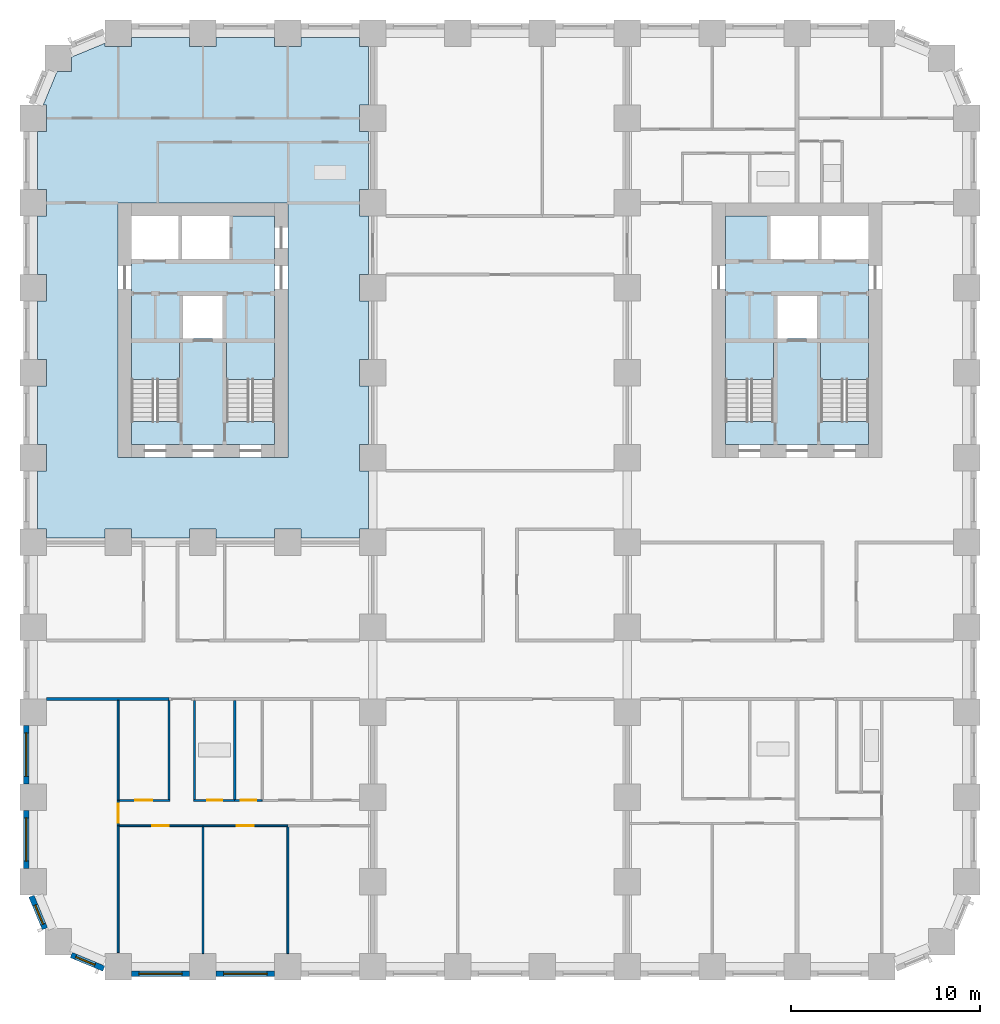
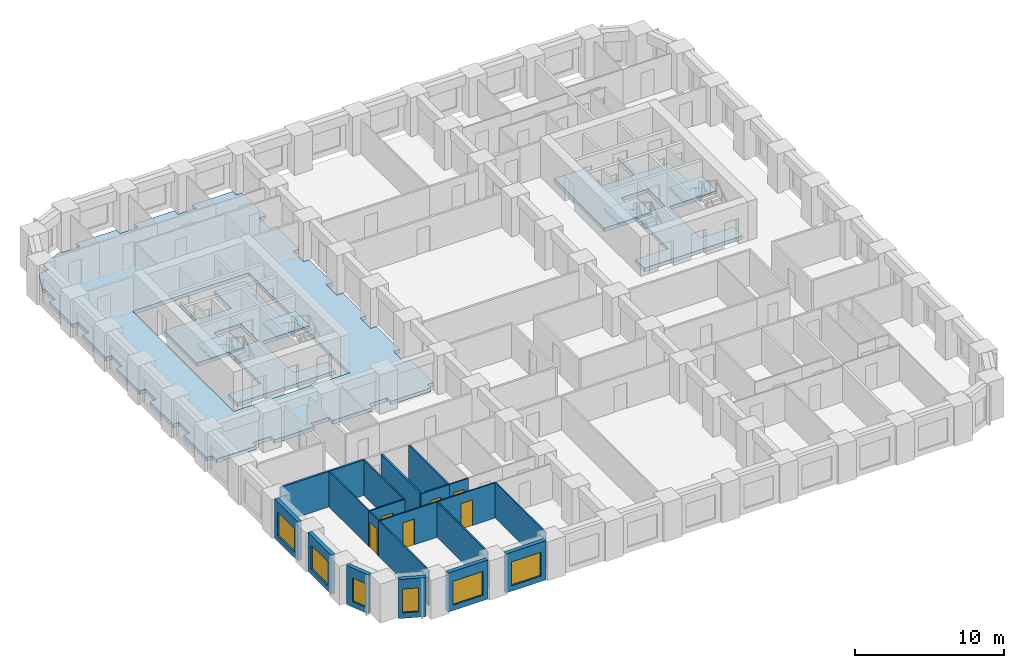
# One storey, part 2 of 12: 20 walls, 7 slabs, 6 doors, 6 windows, 12 openings, 4 elements without a shape of their own.
"""IFC4 building model written with IfcOpenShell, lengths in metres."""

from ifc_helpers import new_model, si_unit, direction, frame, frame_2d, origin, place, context, subcontext, project, spatial, polyline, rectangle, outline, extrude, material, layer, layer_set, type_object, element, fill, aggregate, save


model = new_model("IFC4")

# Units and contexts
model_context = context("Model", 3, precision=1e-05, world=origin(), true_north=direction((0.0, 1.0)))
body_context = subcontext(model_context, "Body", "Model", "MODEL_VIEW")
ifc_project = project(units=[si_unit("LENGTHUNIT", "METRE"), si_unit("AREAUNIT", "SQUARE_METRE"), si_unit("VOLUMEUNIT", "CUBIC_METRE"), si_unit("PLANEANGLEUNIT", "RADIAN"), si_unit("MASSUNIT", "GRAM", prefix="KILO")], contexts=[model_context])

# Site, building, storey
site_placement = place(None, origin())
site = spatial("IfcSite", under=ifc_project, at=site_placement, CompositionType="ELEMENT")
building_placement = place(site_placement, origin())
building = spatial("IfcBuilding", under=site, at=building_placement, Name="Girih Gate Residences", CompositionType="ELEMENT")
storey_placement = place(building_placement, frame((0.0, 0.0, 59.199951171875)))
storey = spatial("IfcBuildingStorey", under=building, at=storey_placement, Name="L15", CompositionType="ELEMENT", Elevation=59.199951171875)

# Slabs
ifc_material_1 = material(Name="Concrete C40/50", Category="concrete")
ifc_layer_1 = layer(ifc_material_1, 0.300048828125)
ifc_layer_set_1 = layer_set([ifc_layer_1], Name="Core floor slab 300")
slab_type_1 = type_object("IfcSlabType", Name="Core floor slab 300", PredefinedType="FLOOR", material=ifc_layer_set_1)
slab_1_placement = place(storey_placement, frame((0.0, 0.0, -0.300048828125)))
element("IfcSlab", 1, at=slab_1_placement, inside=storey, type_object=slab_type_1, Name="L15 W core floor", PredefinedType="FLOOR", context=body_context, shape_type="SweptSolid", body=[
    extrude(outline(polyline([(12.800048828125, 27.699951171875), (5.199951171875, 27.699951171875), (5.199951171875, 28.900634765625), (7.75, 28.900634765625), (7.75, 33.10009765625), (5.199951171875, 33.10009765625), (5.199951171875, 37.5), (7.699951171875, 37.5), (7.699951171875, 39.800048828125), (7.89990234375, 39.800048828125), (7.89990234375, 37.5), (10.39990234375, 37.5), (10.39990234375, 39.800048828125), (12.800048828125, 39.800048828125), (12.800048828125, 33.10009765625), (10.25, 33.10009765625), (10.25, 28.900634765625), (12.800048828125, 28.900634765625), (12.800048828125, 27.699951171875)]), holes=[polyline([(7.949951171875, 33.300048828125), (10.050048828125, 33.300048828125), (10.050048828125, 35.60009765625), (7.949951171875, 35.60009765625), (7.949951171875, 33.300048828125)])]), origin(), (0.0, 0.0, 1.0), 0.300048828125),
])
slab_2_placement = place(storey_placement, frame((0.0, 0.0, -0.300048828125)))
element("IfcSlab", 2, at=slab_2_placement, inside=storey, type_object=slab_type_1, Name="L15 E core floor", PredefinedType="FLOOR", context=body_context, shape_type="SweptSolid", body=[
    extrude(outline(polyline([(44.300048828125, 27.699951171875), (36.699951171875, 27.699951171875), (36.699951171875, 28.900634765625), (39.25, 28.900634765625), (39.25, 33.10009765625), (36.699951171875, 33.10009765625), (36.699951171875, 39.800048828125), (39.10009765625, 39.800048828125), (39.10009765625, 37.5), (41.60009765625, 37.5), (41.60009765625, 39.800048828125), (41.800048828125, 39.800048828125), (41.800048828125, 37.5), (44.300048828125, 37.5), (44.300048828125, 33.10009765625), (41.75, 33.10009765625), (41.75, 28.900634765625), (44.300048828125, 28.900634765625), (44.300048828125, 27.699951171875)]), holes=[polyline([(39.449951171875, 33.300048828125), (41.550048828125, 33.300048828125), (41.550048828125, 35.60009765625), (39.449951171875, 35.60009765625), (39.449951171875, 33.300048828125)])]), origin(), (0.0, 0.0, 1.0), 0.300048828125),
])
ifc_layer_2 = layer(ifc_material_1, 0.300048828125)
ifc_layer_set_2 = layer_set([ifc_layer_2], Name="Floor slab PT 300 Concrete C40/50")
slab_type_2 = type_object("IfcSlabType", Name="Floor slab PT 300 Concrete C40/50", PredefinedType="FLOOR", material=ifc_layer_set_2)
slab_3_placement = place(storey_placement, frame((0.0, 0.0, -0.300048828125)))
element("IfcSlab", 3, at=slab_3_placement, inside=storey, type_object=slab_type_2, Name="Floor slab L15 3", PredefinedType="FLOOR", context=body_context, shape_type="SweptSolid", body=[
    extrude(outline(polyline([(0.22509765625, 26.300048828125), (0.22509765625, 23.199951171875), (0.699951171875, 23.199951171875), (0.699951171875, 22.72509765625), (3.800048828125, 22.72509765625), (3.800048828125, 23.199951171875), (5.199951171875, 23.199951171875), (5.199951171875, 22.72509765625), (8.300048828125, 22.72509765625), (8.300048828125, 23.199951171875), (9.699951171875, 23.199951171875), (9.699951171875, 22.72509765625), (12.800048828125, 22.72509765625), (12.800048828125, 23.199951171875), (14.199951171875, 23.199951171875), (14.199951171875, 22.72509765625), (17.300048828125, 22.72509765625), (17.300048828125, 23.199951171875), (17.77490234375, 23.199951171875), (17.77490234375, 26.300048828125), (17.300048828125, 26.300048828125), (17.300048828125, 27.699951171875), (17.77490234375, 27.699951171875), (17.77490234375, 30.800048828125), (17.300048828125, 30.800048828125), (17.300048828125, 32.199951171875), (17.77490234375, 32.199951171875), (17.77490234375, 35.300048828125), (17.300048828125, 35.300048828125), (17.300048828125, 36.699951171875), (17.77490234375, 36.699951171875), (17.77490234375, 39.800048828125), (17.300048828125, 39.800048828125), (17.300048828125, 41.199951171875), (17.77490234375, 41.199951171875), (17.77490234375, 44.300048828125), (17.300048828125, 44.300048828125), (17.300048828125, 45.699951171875), (17.77490234375, 45.699951171875), (17.77490234375, 48.800048828125), (17.300048828125, 48.800048828125), (17.300048828125, 49.27490234375), (14.199951171875, 49.27490234375), (14.199951171875, 48.800048828125), (12.800048828125, 48.800048828125), (12.800048828125, 49.27490234375), (9.699951171875, 49.27490234375), (9.699951171875, 48.800048828125), (8.300048828125, 48.800048828125), (8.300048828125, 49.27490234375), (5.199951171875, 49.27490234375), (5.199951171875, 48.800048828125), (3.800048828125, 48.800048828125), (3.800048828125, 48.966552734375), (2.01806640625, 48.228271484375), (2.01806640625, 47.48193359375), (1.271728515625, 47.48193359375), (0.533447265625, 45.699951171875), (0.699951171875, 45.699951171875), (0.699951171875, 44.300048828125), (0.22509765625, 44.300048828125), (0.22509765625, 41.199951171875), (0.699951171875, 41.199951171875), (0.699951171875, 39.800048828125), (0.22509765625, 39.800048828125), (0.22509765625, 36.699951171875), (0.699951171875, 36.699951171875), (0.699951171875, 35.300048828125), (0.22509765625, 35.300048828125), (0.22509765625, 32.199951171875), (0.699951171875, 32.199951171875), (0.699951171875, 30.800048828125), (0.22509765625, 30.800048828125), (0.22509765625, 27.699951171875), (0.699951171875, 27.699951171875), (0.699951171875, 26.300048828125), (0.22509765625, 26.300048828125)]), holes=[polyline([(13.5, 40.5), (13.5, 27.0), (4.5, 27.0), (4.5, 40.5), (13.5, 40.5)])]), origin(), (0.0, 0.0, 1.0), 0.300048828125),
])

# Stair, slab
stair_type = type_object("IfcStairType", Name="Exit stair", PredefinedType="HALF_TURN_STAIR", material=ifc_material_1)
stair_1_placement = place(storey_placement, origin())
stair_1 = element("IfcStair", 4, at=stair_1_placement, inside=storey, type_object=stair_type, Name="L15 Exit Stair ST-W1", PredefinedType="HALF_TURN_STAIR")
ifc_layer_3 = layer(ifc_material_1, 0.199951171875)
ifc_layer_set_3 = layer_set([ifc_layer_3], Name="Stair landing 200")
slab_type_3 = type_object("IfcSlabType", Name="Stair landing 200", PredefinedType="LANDING", material=ifc_layer_set_3)
slab_4_placement = place(storey_placement, frame((0.0, 0.0, 1.400146484375)))
slab_4 = element("IfcSlab", 5, at=slab_4_placement, type_object=slab_type_3, Name="ST-W1 landing 1", PredefinedType="LANDING", context=body_context, shape_type="SweptSolid", body=[
    extrude(outline(polyline([(7.75, 31.14990234375), (7.75, 33.10009765625), (5.199951171875, 33.10009765625), (5.199951171875, 31.14990234375), (7.75, 31.14990234375)])), origin(), (0.0, 0.0, 1.0), 0.199951171875),
])
aggregate(stair_1, [slab_4])

stair_2_placement = place(storey_placement, origin())
stair_2 = element("IfcStair", 6, at=stair_2_placement, inside=storey, type_object=stair_type, Name="L15 Exit Stair ST-W2", PredefinedType="HALF_TURN_STAIR")
slab_5_placement = place(storey_placement, frame((0.0, 0.0, 1.400146484375)))
slab_5 = element("IfcSlab", 7, at=slab_5_placement, type_object=slab_type_3, Name="ST-W2 landing 1", PredefinedType="LANDING", context=body_context, shape_type="SweptSolid", body=[
    extrude(outline(polyline([(12.800048828125, 31.14990234375), (12.800048828125, 33.10009765625), (10.25, 33.10009765625), (10.25, 31.14990234375), (12.800048828125, 31.14990234375)])), origin(), (0.0, 0.0, 1.0), 0.199951171875),
])
aggregate(stair_2, [slab_5])

stair_3_placement = place(storey_placement, origin())
stair_3 = element("IfcStair", 8, at=stair_3_placement, inside=storey, type_object=stair_type, Name="L15 Exit Stair ST-E1", PredefinedType="HALF_TURN_STAIR")
slab_6_placement = place(storey_placement, frame((0.0, 0.0, 1.400146484375)))
slab_6 = element("IfcSlab", 9, at=slab_6_placement, type_object=slab_type_3, Name="ST-E1 landing 1", PredefinedType="LANDING", context=body_context, shape_type="SweptSolid", body=[
    extrude(outline(polyline([(44.300048828125, 31.14990234375), (44.300048828125, 33.10009765625), (41.75, 33.10009765625), (41.75, 31.14990234375), (44.300048828125, 31.14990234375)])), origin(), (0.0, 0.0, 1.0), 0.199951171875),
])
aggregate(stair_3, [slab_6])

stair_4_placement = place(storey_placement, origin())
stair_4 = element("IfcStair", 10, at=stair_4_placement, inside=storey, type_object=stair_type, Name="L15 Exit Stair ST-E2", PredefinedType="HALF_TURN_STAIR")
slab_7_placement = place(storey_placement, frame((0.0, 0.0, 1.400146484375)))
slab_7 = element("IfcSlab", 11, at=slab_7_placement, type_object=slab_type_3, Name="ST-E2 landing 1", PredefinedType="LANDING", context=body_context, shape_type="SweptSolid", body=[
    extrude(outline(polyline([(39.25, 31.14990234375), (39.25, 33.10009765625), (36.699951171875, 33.10009765625), (36.699951171875, 31.14990234375), (39.25, 31.14990234375)])), origin(), (0.0, 0.0, 1.0), 0.199951171875),
])
aggregate(stair_4, [slab_7])

# Walls
ifc_material_2 = material(Name="Gypsum board on steel studs", Category="steel")
ifc_layer_4 = layer(ifc_material_2, 0.14990234375)
ifc_layer_set_4 = layer_set([ifc_layer_4], Name="Compartment wall 150 mm")
wall_type_1 = type_object("IfcWallType", Name="Compartment wall 150 mm", PredefinedType="PARTITIONING", material=ifc_layer_set_4)
wall_1_placement = place(storey_placement, frame((0.699951171875, 14.199951171875, 0.0), z_axis=(0.0, 0.0, 1.0), x_axis=(1.0, 0.0, 0.0)))
element("IfcWall", 12, at=wall_1_placement, inside=storey, type_object=wall_type_1, Name="L15 partition", PredefinedType="PARTITIONING", context=body_context, shape_type="SweptSolid", body=[
    extrude(rectangle(XDim=6.5, YDim=0.14990234375, at=frame_2d((3.25, 0.0))), origin(), (0.0, 0.0, 1.0), 2.900146484375),
])
ifc_layer_5 = layer(ifc_material_2, 0.10009765625)
ifc_layer_set_5 = layer_set([ifc_layer_5], Name="Partition 100 mm")
wall_type_2 = type_object("IfcWallType", Name="Partition 100 mm", PredefinedType="PARTITIONING", material=ifc_layer_set_5)
wall_2_placement = place(storey_placement, frame((9.0, 0.699951171875, 0.0), z_axis=(0.0, 0.0, 1.0), x_axis=(0.0, 1.0, 0.0)))
element("IfcWall", 13, at=wall_2_placement, inside=storey, type_object=wall_type_2, Name="L15 partition", PredefinedType="PARTITIONING", context=body_context, shape_type="SweptSolid", body=[
    extrude(rectangle(XDim=6.72998046875, YDim=0.10009765625, at=frame_2d((3.364990234375, 0.0))), origin(), (0.0, 0.0, 1.0), 2.900146484375),
])

# Wall, opening, door
wall_3_placement = place(storey_placement, frame((9.0, 7.47998046875, 0.0), z_axis=(0.0, 0.0, 1.0), x_axis=(-1.0, 0.0, 0.0)))
wall_3 = element("IfcWall", 14, at=wall_3_placement, inside=storey, type_object=wall_type_2, Name="L15 partition", PredefinedType="PARTITIONING", context=body_context, shape_type="SweptSolid", body=[
    extrude(rectangle(XDim=4.449951171875, YDim=0.10009765625, at=frame_2d((2.22509765625, 0.0))), origin(), (0.0, 0.0, 1.0), 2.900146484375),
])
opening_1_placement = place(wall_3_placement, frame((1.800048828125, 0.0, 0.0)))
opening_1 = element("IfcOpeningElement", 15, at=opening_1_placement, cuts=wall_3, Name="Opening A15-002", PredefinedType="OPENING", context=body_context, shape_type="SweptSolid", body=[
    extrude(rectangle(XDim=0.89990234375, YDim=2.10009765625, at=frame_2d((0.449951171875, 1.050048828125))), frame((0.0, 0.06005859375, 0.0), z_axis=(0.0, -1.0, 0.0), x_axis=(1.0, 0.0, 0.0)), (0.0, 0.0, 1.0), 0.1201171875),
])
ifc_material_3 = material(Name="Timber", Category="wood")
door_type_1 = type_object("IfcDoorType", Name="Bedroom door 900x2100", OperationType="NOTDEFINED", PredefinedType="DOOR", material=ifc_material_3)
door_1_placement = place(opening_1_placement, origin())
door_1 = element("IfcDoor", 16, at=door_1_placement, inside=storey, type_object=door_type_1, Name="Door A15-002", OperationType="SINGLE_SWING_RIGHT", OverallHeight=2.10009765625, OverallWidth=0.89990234375, PredefinedType="DOOR", context=body_context, shape_type="SweptSolid", body=[
    extrude(rectangle(XDim=0.89990234375, YDim=2.10009765625, at=frame_2d((0.449951171875, 1.050048828125))), frame((0.0, 0.02490234375, 0.0), z_axis=(0.0, -1.0, 0.0), x_axis=(1.0, 0.0, 0.0)), (0.0, 0.0, 1.0), 0.050048828125),
])
fill(opening_1, door_1)

# Walls
wall_4_placement = place(storey_placement, frame((4.5, 0.757568359375, 0.0), z_axis=(0.0, 0.0, 1.0), x_axis=(0.0, 1.0, 0.0)))
element("IfcWall", 17, at=wall_4_placement, inside=storey, type_object=wall_type_2, Name="L15 partition", PredefinedType="PARTITIONING", context=body_context, shape_type="SweptSolid", body=[
    extrude(rectangle(XDim=6.722412109375, YDim=0.10009765625, at=frame_2d((3.361328125, 0.0))), origin(), (0.0, 0.0, 1.0), 2.900146484375),
])
wall_5_placement = place(storey_placement, frame((13.5, 0.699951171875, 0.0), z_axis=(0.0, 0.0, 1.0), x_axis=(0.0, 1.0, 0.0)))
element("IfcWall", 18, at=wall_5_placement, inside=storey, type_object=wall_type_2, Name="L15 partition", PredefinedType="PARTITIONING", context=body_context, shape_type="SweptSolid", body=[
    extrude(rectangle(XDim=6.72998046875, YDim=0.10009765625, at=frame_2d((3.364990234375, 0.0))), origin(), (0.0, 0.0, 1.0), 2.900146484375),
])

# Wall, opening, door
wall_6_placement = place(storey_placement, frame((13.5, 7.47998046875, 0.0), z_axis=(0.0, 0.0, 1.0), x_axis=(-1.0, 0.0, 0.0)))
wall_6 = element("IfcWall", 19, at=wall_6_placement, inside=storey, type_object=wall_type_2, Name="L15 partition", PredefinedType="PARTITIONING", context=body_context, shape_type="SweptSolid", body=[
    extrude(rectangle(XDim=4.5, YDim=0.10009765625, at=frame_2d((2.25, 0.0))), origin(), (0.0, 0.0, 1.0), 2.900146484375),
])
opening_2_placement = place(wall_6_placement, frame((1.800048828125, 0.0, 0.0)))
opening_2 = element("IfcOpeningElement", 20, at=opening_2_placement, cuts=wall_6, Name="Opening A15-003", PredefinedType="OPENING", context=body_context, shape_type="SweptSolid", body=[
    extrude(rectangle(XDim=0.89990234375, YDim=2.10009765625, at=frame_2d((0.449951171875, 1.050048828125))), frame((0.0, 0.06005859375, 0.0), z_axis=(0.0, -1.0, 0.0), x_axis=(1.0, 0.0, 0.0)), (0.0, 0.0, 1.0), 0.1201171875),
])
door_2_placement = place(opening_2_placement, origin())
door_2 = element("IfcDoor", 21, at=door_2_placement, inside=storey, type_object=door_type_1, Name="Door A15-003", OperationType="SINGLE_SWING_LEFT", OverallHeight=2.10009765625, OverallWidth=0.89990234375, PredefinedType="DOOR", context=body_context, shape_type="SweptSolid", body=[
    extrude(rectangle(XDim=0.89990234375, YDim=2.10009765625, at=frame_2d((0.449951171875, 1.050048828125))), frame((0.0, 0.02490234375, 0.0), z_axis=(0.0, -1.0, 0.0), x_axis=(1.0, 0.0, 0.0)), (0.0, 0.0, 1.0), 0.050048828125),
])
fill(opening_2, door_2)

wall_7_placement = place(storey_placement, frame((4.550048828125, 8.820068359375, 0.0), z_axis=(0.0, 0.0, 1.0), x_axis=(1.0, 0.0, 0.0)))
wall_7 = element("IfcWall", 22, at=wall_7_placement, inside=storey, type_object=wall_type_2, Name="L15 partition", PredefinedType="PARTITIONING", context=body_context, shape_type="SweptSolid", body=[
    extrude(rectangle(XDim=2.699951171875, YDim=0.10009765625, at=frame_2d((1.35009765625, 0.0))), origin(), (0.0, 0.0, 1.0), 2.900146484375),
])
opening_3_placement = place(wall_7_placement, frame((0.85009765625, 0.0, 0.0)))
opening_3 = element("IfcOpeningElement", 23, at=opening_3_placement, cuts=wall_7, Name="Opening A15-006", PredefinedType="OPENING", context=body_context, shape_type="SweptSolid", body=[
    extrude(rectangle(XDim=0.89990234375, YDim=2.10009765625, at=frame_2d((0.449951171875, 1.050048828125))), frame((0.0, 0.06005859375, 0.0), z_axis=(0.0, -1.0, 0.0), x_axis=(1.0, 0.0, 0.0)), (0.0, 0.0, 1.0), 0.1201171875),
])
door_type_2 = type_object("IfcDoorType", Name="Kitchen door 900x2100", OperationType="NOTDEFINED", PredefinedType="DOOR", material=ifc_material_3)
door_3_placement = place(opening_3_placement, origin())
door_3 = element("IfcDoor", 24, at=door_3_placement, inside=storey, type_object=door_type_2, Name="Door A15-006", OperationType="SINGLE_SWING_LEFT", OverallHeight=2.10009765625, OverallWidth=0.89990234375, PredefinedType="DOOR", context=body_context, shape_type="SweptSolid", body=[
    extrude(rectangle(XDim=0.89990234375, YDim=2.10009765625, at=frame_2d((0.449951171875, 1.050048828125))), frame((0.0, 0.02490234375, 0.0), z_axis=(0.0, -1.0, 0.0), x_axis=(1.0, 0.0, 0.0)), (0.0, 0.0, 1.0), 0.050048828125),
])
fill(opening_3, door_3)

# Wall
wall_8_placement = place(storey_placement, frame((7.199951171875, 8.8701171875, 0.0), z_axis=(0.0, 0.0, 1.0), x_axis=(0.0, 1.0, 0.0)))
element("IfcWall", 25, at=wall_8_placement, inside=storey, type_object=wall_type_2, Name="L15 partition", PredefinedType="PARTITIONING", context=body_context, shape_type="SweptSolid", body=[
    extrude(rectangle(XDim=5.2548828125, YDim=0.10009765625, at=frame_2d((2.62744140625, 0.0))), origin(), (0.0, 0.0, 1.0), 2.900146484375),
])

# Wall, opening, door
wall_9_placement = place(storey_placement, frame((4.5, 7.47998046875, 0.0), z_axis=(0.0, 0.0, 1.0), x_axis=(0.0, 1.0, 0.0)))
wall_9 = element("IfcWall", 26, at=wall_9_placement, inside=storey, type_object=wall_type_2, Name="L15 partition", PredefinedType="PARTITIONING", context=body_context, shape_type="SweptSolid", body=[
    extrude(rectangle(XDim=1.340087890625, YDim=0.10009765625, at=frame_2d((0.669921875, 0.0))), origin(), (0.0, 0.0, 1.0), 2.900146484375),
])
opening_4_placement = place(wall_9_placement, frame((0.169921875, 0.0, 0.0)))
opening_4 = element("IfcOpeningElement", 27, at=opening_4_placement, cuts=wall_9, Name="Opening A15-007", PredefinedType="OPENING", context=body_context, shape_type="SweptSolid", body=[
    extrude(rectangle(XDim=1.0, YDim=2.10009765625, at=frame_2d((0.5, 1.050048828125))), frame((0.0, 0.06005859375, 0.0), z_axis=(0.0, -1.0, 0.0), x_axis=(1.0, 0.0, 0.0)), (0.0, 0.0, 1.0), 0.1201171875),
])
door_type_3 = type_object("IfcDoorType", Name="Living room door 1000x2100", OperationType="NOTDEFINED", PredefinedType="DOOR", material=ifc_material_3)
door_4_placement = place(opening_4_placement, origin())
door_4 = element("IfcDoor", 28, at=door_4_placement, inside=storey, type_object=door_type_3, Name="Door A15-007", OperationType="SINGLE_SWING_RIGHT", OverallHeight=2.10009765625, OverallWidth=1.0, PredefinedType="DOOR", context=body_context, shape_type="SweptSolid", body=[
    extrude(rectangle(XDim=1.0, YDim=2.10009765625, at=frame_2d((0.5, 1.050048828125))), frame((0.0, 0.02490234375, 0.0), z_axis=(0.0, -1.0, 0.0), x_axis=(1.0, 0.0, 0.0)), (0.0, 0.0, 1.0), 0.050048828125),
])
fill(opening_4, door_4)

wall_10_placement = place(storey_placement, frame((10.68359375, 8.820068359375, 0.0), z_axis=(0.0, 0.0, 1.0), x_axis=(1.0, 0.0, 0.0)))
wall_10 = element("IfcWall", 29, at=wall_10_placement, inside=storey, type_object=wall_type_2, Name="L15 partition", PredefinedType="PARTITIONING", context=body_context, shape_type="SweptSolid", body=[
    extrude(rectangle(XDim=1.459716796875, YDim=0.10009765625, at=frame_2d((0.72998046875, 0.0))), origin(), (0.0, 0.0, 1.0), 2.900146484375),
])
opening_5_placement = place(wall_10_placement, frame((0.329833984375, 0.0, 0.0)))
opening_5 = element("IfcOpeningElement", 30, at=opening_5_placement, cuts=wall_10, Name="Opening A15-008", PredefinedType="OPENING", context=body_context, shape_type="SweptSolid", body=[
    extrude(rectangle(XDim=0.800048828125, YDim=2.10009765625, at=frame_2d((0.39990234375, 1.050048828125))), frame((0.0, 0.06005859375, 0.0), z_axis=(0.0, -1.0, 0.0), x_axis=(1.0, 0.0, 0.0)), (0.0, 0.0, 1.0), 0.1201171875),
])
door_type_4 = type_object("IfcDoorType", Name="Store door 800x2100", OperationType="NOTDEFINED", PredefinedType="DOOR", material=ifc_material_3)
door_5_placement = place(opening_5_placement, origin())
door_5 = element("IfcDoor", 31, at=door_5_placement, inside=storey, type_object=door_type_4, Name="Door A15-008", OperationType="SINGLE_SWING_LEFT", OverallHeight=2.10009765625, OverallWidth=0.800048828125, PredefinedType="DOOR", context=body_context, shape_type="SweptSolid", body=[
    extrude(rectangle(XDim=0.800048828125, YDim=2.10009765625, at=frame_2d((0.39990234375, 1.050048828125))), frame((0.0, 0.02490234375, 0.0), z_axis=(0.0, -1.0, 0.0), x_axis=(1.0, 0.0, 0.0)), (0.0, 0.0, 1.0), 0.050048828125),
])
fill(opening_5, door_5)

# Wall
wall_11_placement = place(storey_placement, frame((4.5, 8.820068359375, 0.0), z_axis=(0.0, 0.0, 1.0), x_axis=(0.0, 1.0, 0.0)))
element("IfcWall", 32, at=wall_11_placement, inside=storey, type_object=wall_type_2, Name="L15 partition", PredefinedType="PARTITIONING", context=body_context, shape_type="SweptSolid", body=[
    extrude(rectangle(XDim=5.304931640625, YDim=0.10009765625, at=frame_2d((2.65234375, 0.0))), origin(), (0.0, 0.0, 1.0), 2.900146484375),
])

# Wall, opening, window
ifc_material_4 = material(Name="Precast concrete C50/60", Category="concrete")
ifc_layer_6 = layer(ifc_material_4, 0.080078125, Name="Outer leaf")
ifc_material_5 = material(Name="Rigid PIR insulation")
ifc_layer_7 = layer(ifc_material_5, 0.14990234375, Name="Insulation")
ifc_material_6 = material(Name="Precast concrete C40/50", Category="concrete")
ifc_layer_8 = layer(ifc_material_6, 0.070068359375, Name="Inner leaf")
ifc_layer_set_6 = layer_set([ifc_layer_6, ifc_layer_7, ifc_layer_8], Name="Precast concrete C50/60 external wall 300")
wall_type_3 = type_object("IfcWallType", Name="Precast concrete C50/60 external wall 300", PredefinedType="SOLIDWALL", material=ifc_layer_set_6)
wall_12_placement = place(storey_placement, frame((0.62158203125, 2.01953125, 0.0), z_axis=(0.0, 0.0, 1.0), x_axis=(-0.38262540684, 0.923903565336, 0.0)))
wall_12 = element("IfcWall", 33, at=wall_12_placement, inside=storey, type_object=wall_type_3, Name="External wall SW0000_0045.0", PredefinedType="SOLIDWALL", context=body_context, shape_type="SweptSolid", body=[
    extrude(rectangle(XDim=1.864990234375, YDim=0.300048828125, at=frame_2d((0.9326171875, 0.0))), origin(), (0.0, 0.0, 1.0), 3.199951171875),
])
opening_6_placement = place(wall_12_placement, frame((0.257568359375, 0.0, 0.449951171875)))
opening_6 = element("IfcOpeningElement", 34, at=opening_6_placement, cuts=wall_12, Name="Opening W-2C", PredefinedType="OPENING", context=body_context, shape_type="SweptSolid", body=[
    extrude(rectangle(XDim=1.10009765625, YDim=1.949951171875, at=frame_2d((0.550048828125, 0.97509765625))), frame((0.0, 0.159912109375, 0.0), z_axis=(0.0, -1.0, 0.0), x_axis=(1.0, 0.0, 0.0)), (0.0, 0.0, 1.0), 0.320068359375),
])
ifc_material_7 = material(Name="Double glazing in aluminium frame", Category="aluminium")
window_type_1 = type_object("IfcWindowType", Name="Window W-2C 1100x1950", PartitioningType="SINGLE_PANEL", PredefinedType="WINDOW", material=ifc_material_7)
window_1_placement = place(opening_6_placement, origin())
window_1 = element("IfcWindow", 35, at=window_1_placement, inside=storey, type_object=window_type_1, Name="Window W-2C SW0000_0045.0", OverallHeight=1.949951171875, OverallWidth=1.10009765625, PartitioningType="SINGLE_PANEL", PredefinedType="WINDOW", context=body_context, shape_type="SweptSolid", body=[
    extrude(rectangle(XDim=1.10009765625, YDim=1.949951171875, at=frame_2d((0.550048828125, 0.97509765625))), frame((0.0, 0.030029296875, 0.0), z_axis=(0.0, -1.0, 0.0), x_axis=(1.0, 0.0, 0.0)), (0.0, 0.0, 1.0), 0.06005859375),
])
fill(opening_6, window_1)

wall_13_placement = place(storey_placement, frame((3.74267578125, -0.09228515625, 0.0), z_axis=(0.0, 0.0, 1.0), x_axis=(-0.923857286003, 0.382737135771, 0.0)))
wall_13 = element("IfcWall", 36, at=wall_13_placement, inside=storey, type_object=wall_type_3, Name="External wall SW0013_0013.0", PredefinedType="SOLIDWALL", context=body_context, shape_type="SweptSolid", body=[
    extrude(rectangle(XDim=1.865234375, YDim=0.300048828125, at=frame_2d((0.9326171875, 0.0))), origin(), (0.0, 0.0, 1.0), 3.199951171875),
])
opening_7_placement = place(wall_13_placement, frame((0.507568359375, 0.0, 0.449951171875)))
opening_7 = element("IfcOpeningElement", 37, at=opening_7_placement, cuts=wall_13, Name="Opening W-2C", PredefinedType="OPENING", context=body_context, shape_type="SweptSolid", body=[
    extrude(rectangle(XDim=1.10009765625, YDim=1.949951171875, at=frame_2d((0.550048828125, 0.97509765625))), frame((0.0, 0.159912109375, 0.0), z_axis=(0.0, -1.0, 0.0), x_axis=(1.0, 0.0, 0.0)), (0.0, 0.0, 1.0), 0.320068359375),
])
window_2_placement = place(opening_7_placement, origin())
window_2 = element("IfcWindow", 38, at=window_2_placement, inside=storey, type_object=window_type_1, Name="Window W-2C SW0013_0013.0", OverallHeight=1.949951171875, OverallWidth=1.10009765625, PartitioningType="SINGLE_PANEL", PredefinedType="WINDOW", context=body_context, shape_type="SweptSolid", body=[
    extrude(rectangle(XDim=1.10009765625, YDim=1.949951171875, at=frame_2d((0.550048828125, 0.97509765625))), frame((0.0, 0.030029296875, 0.0), z_axis=(0.0, -1.0, 0.0), x_axis=(1.0, 0.0, 0.0)), (0.0, 0.0, 1.0), 0.06005859375),
])
fill(opening_7, window_2)

wall_14_placement = place(storey_placement, frame((8.300048828125, -0.375, 0.0), z_axis=(0.0, 0.0, 1.0), x_axis=(-1.0, 0.0, 0.0)))
wall_14 = element("IfcWall", 39, at=wall_14_placement, inside=storey, type_object=wall_type_3, Name="External wall S0045_0000.0", PredefinedType="SOLIDWALL", context=body_context, shape_type="SweptSolid", body=[
    extrude(rectangle(XDim=3.10009765625, YDim=0.300048828125, at=frame_2d((1.550048828125, 0.0))), origin(), (0.0, 0.0, 1.0), 3.199951171875),
])
opening_8_placement = place(wall_14_placement, frame((0.39990234375, 0.0, 0.449951171875)))
opening_8 = element("IfcOpeningElement", 40, at=opening_8_placement, cuts=wall_14, Name="Opening W-1", PredefinedType="OPENING", context=body_context, shape_type="SweptSolid", body=[
    extrude(rectangle(XDim=2.300048828125, YDim=1.949951171875, at=frame_2d((1.14990234375, 0.97509765625))), frame((0.0, 0.159912109375, 0.0), z_axis=(0.0, -1.0, 0.0), x_axis=(1.0, 0.0, 0.0)), (0.0, 0.0, 1.0), 0.320068359375),
])
window_type_2 = type_object("IfcWindowType", Name="Window W-1 2300x1950", PartitioningType="SINGLE_PANEL", PredefinedType="WINDOW", material=ifc_material_7)
window_3_placement = place(opening_8_placement, origin())
window_3 = element("IfcWindow", 41, at=window_3_placement, inside=storey, type_object=window_type_2, Name="Window W-1 S0045_0000.0", OverallHeight=1.949951171875, OverallWidth=2.300048828125, PartitioningType="SINGLE_PANEL", PredefinedType="WINDOW", context=body_context, shape_type="SweptSolid", body=[
    extrude(rectangle(XDim=2.300048828125, YDim=1.949951171875, at=frame_2d((1.14990234375, 0.97509765625))), frame((0.0, 0.030029296875, 0.0), z_axis=(0.0, -1.0, 0.0), x_axis=(1.0, 0.0, 0.0)), (0.0, 0.0, 1.0), 0.06005859375),
])
fill(opening_8, window_3)

wall_15_placement = place(storey_placement, frame((12.800048828125, -0.375, 0.0), z_axis=(0.0, 0.0, 1.0), x_axis=(-1.0, 0.0, 0.0)))
wall_15 = element("IfcWall", 42, at=wall_15_placement, inside=storey, type_object=wall_type_3, Name="External wall S0045_0000.1", PredefinedType="SOLIDWALL", context=body_context, shape_type="SweptSolid", body=[
    extrude(rectangle(XDim=3.10009765625, YDim=0.300048828125, at=frame_2d((1.550048828125, 0.0))), origin(), (0.0, 0.0, 1.0), 3.199951171875),
])
opening_9_placement = place(wall_15_placement, frame((0.39990234375, 0.0, 0.449951171875)))
opening_9 = element("IfcOpeningElement", 43, at=opening_9_placement, cuts=wall_15, Name="Opening W-1", PredefinedType="OPENING", context=body_context, shape_type="SweptSolid", body=[
    extrude(rectangle(XDim=2.300048828125, YDim=1.949951171875, at=frame_2d((1.14990234375, 0.97509765625))), frame((0.0, 0.159912109375, 0.0), z_axis=(0.0, -1.0, 0.0), x_axis=(1.0, 0.0, 0.0)), (0.0, 0.0, 1.0), 0.320068359375),
])
window_4_placement = place(opening_9_placement, origin())
window_4 = element("IfcWindow", 44, at=window_4_placement, inside=storey, type_object=window_type_2, Name="Window W-1 S0045_0000.1", OverallHeight=1.949951171875, OverallWidth=2.300048828125, PartitioningType="SINGLE_PANEL", PredefinedType="WINDOW", context=body_context, shape_type="SweptSolid", body=[
    extrude(rectangle(XDim=2.300048828125, YDim=1.949951171875, at=frame_2d((1.14990234375, 0.97509765625))), frame((0.0, 0.030029296875, 0.0), z_axis=(0.0, -1.0, 0.0), x_axis=(1.0, 0.0, 0.0)), (0.0, 0.0, 1.0), 0.06005859375),
])
fill(opening_9, window_4)

wall_16_placement = place(storey_placement, frame((-0.375, 9.699951171875, 0.0), z_axis=(0.0, 0.0, 1.0), x_axis=(0.0, 1.0, 0.0)))
wall_16 = element("IfcWall", 45, at=wall_16_placement, inside=storey, type_object=wall_type_3, Name="External wall W0000_0450.7", PredefinedType="SOLIDWALL", context=body_context, shape_type="SweptSolid", body=[
    extrude(rectangle(XDim=3.10009765625, YDim=0.300048828125, at=frame_2d((1.550048828125, 0.0))), origin(), (0.0, 0.0, 1.0), 3.199951171875),
])
opening_10_placement = place(wall_16_placement, frame((0.39990234375, 0.0, 0.449951171875)))
opening_10 = element("IfcOpeningElement", 46, at=opening_10_placement, cuts=wall_16, Name="Opening W-1", PredefinedType="OPENING", context=body_context, shape_type="SweptSolid", body=[
    extrude(rectangle(XDim=2.300048828125, YDim=1.949951171875, at=frame_2d((1.14990234375, 0.97509765625))), frame((0.0, 0.159912109375, 0.0), z_axis=(0.0, -1.0, 0.0), x_axis=(1.0, 0.0, 0.0)), (0.0, 0.0, 1.0), 0.320068359375),
])
window_5_placement = place(opening_10_placement, origin())
window_5 = element("IfcWindow", 47, at=window_5_placement, inside=storey, type_object=window_type_2, Name="Window W-1 W0000_0450.7", OverallHeight=1.949951171875, OverallWidth=2.300048828125, PartitioningType="SINGLE_PANEL", PredefinedType="WINDOW", context=body_context, shape_type="SweptSolid", body=[
    extrude(rectangle(XDim=2.300048828125, YDim=1.949951171875, at=frame_2d((1.14990234375, 0.97509765625))), frame((0.0, 0.030029296875, 0.0), z_axis=(0.0, -1.0, 0.0), x_axis=(1.0, 0.0, 0.0)), (0.0, 0.0, 1.0), 0.06005859375),
])
fill(opening_10, window_5)

wall_17_placement = place(storey_placement, frame((-0.375, 5.199951171875, 0.0), z_axis=(0.0, 0.0, 1.0), x_axis=(0.0, 1.0, 0.0)))
wall_17 = element("IfcWall", 48, at=wall_17_placement, inside=storey, type_object=wall_type_3, Name="External wall W0000_0450.8", PredefinedType="SOLIDWALL", context=body_context, shape_type="SweptSolid", body=[
    extrude(rectangle(XDim=3.10009765625, YDim=0.300048828125, at=frame_2d((1.550048828125, 0.0))), origin(), (0.0, 0.0, 1.0), 3.199951171875),
])
opening_11_placement = place(wall_17_placement, frame((0.39990234375, 0.0, 0.449951171875)))
opening_11 = element("IfcOpeningElement", 49, at=opening_11_placement, cuts=wall_17, Name="Opening W-1", PredefinedType="OPENING", context=body_context, shape_type="SweptSolid", body=[
    extrude(rectangle(XDim=2.300048828125, YDim=1.949951171875, at=frame_2d((1.14990234375, 0.97509765625))), frame((0.0, 0.159912109375, 0.0), z_axis=(0.0, -1.0, 0.0), x_axis=(1.0, 0.0, 0.0)), (0.0, 0.0, 1.0), 0.320068359375),
])
window_6_placement = place(opening_11_placement, origin())
window_6 = element("IfcWindow", 50, at=window_6_placement, inside=storey, type_object=window_type_2, Name="Window W-1 W0000_0450.8", OverallHeight=1.949951171875, OverallWidth=2.300048828125, PartitioningType="SINGLE_PANEL", PredefinedType="WINDOW", context=body_context, shape_type="SweptSolid", body=[
    extrude(rectangle(XDim=2.300048828125, YDim=1.949951171875, at=frame_2d((1.14990234375, 0.97509765625))), frame((0.0, 0.030029296875, 0.0), z_axis=(0.0, -1.0, 0.0), x_axis=(1.0, 0.0, 0.0)), (0.0, 0.0, 1.0), 0.06005859375),
])
fill(opening_11, window_6)

# Wall, opening, door
ifc_layer_9 = layer(ifc_material_2, 0.125)
ifc_layer_set_7 = layer_set([ifc_layer_9], Name="Wet room wall 125 mm")
wall_type_4 = type_object("IfcWallType", Name="Wet room wall 125 mm", PredefinedType="PARTITIONING", material=ifc_layer_set_7)
wall_18_placement = place(storey_placement, frame((8.487548828125, 8.820068359375, 0.0), z_axis=(0.0, 0.0, 1.0), x_axis=(1.0, 0.0, 0.0)))
wall_18 = element("IfcWall", 51, at=wall_18_placement, inside=storey, type_object=wall_type_4, Name="L15 partition", PredefinedType="PARTITIONING", context=body_context, shape_type="SweptSolid", body=[
    extrude(rectangle(XDim=2.196044921875, YDim=0.125, at=frame_2d((1.09814453125, 0.0))), origin(), (0.0, 0.0, 1.0), 2.900146484375),
])
opening_12_placement = place(wall_18_placement, frame((0.729248046875, 0.0, 0.0)))
opening_12 = element("IfcOpeningElement", 52, at=opening_12_placement, cuts=wall_18, Name="Opening A15-001", PredefinedType="OPENING", context=body_context, shape_type="SweptSolid", body=[
    extrude(rectangle(XDim=0.800048828125, YDim=2.10009765625, at=frame_2d((0.39990234375, 1.050048828125))), frame((0.0, 0.072509765625, 0.0), z_axis=(0.0, -1.0, 0.0), x_axis=(1.0, 0.0, 0.0)), (0.0, 0.0, 1.0), 0.14501953125),
])
door_type_5 = type_object("IfcDoorType", Name="Bathroom door 800x2100", OperationType="NOTDEFINED", PredefinedType="DOOR", material=ifc_material_3)
door_6_placement = place(opening_12_placement, origin())
door_6 = element("IfcDoor", 53, at=door_6_placement, inside=storey, type_object=door_type_5, Name="Door A15-001", OperationType="SINGLE_SWING_RIGHT", OverallHeight=2.10009765625, OverallWidth=0.800048828125, PredefinedType="DOOR", context=body_context, shape_type="SweptSolid", body=[
    extrude(rectangle(XDim=0.800048828125, YDim=2.10009765625, at=frame_2d((0.39990234375, 1.050048828125))), frame((0.0, 0.02490234375, 0.0), z_axis=(0.0, -1.0, 0.0), x_axis=(1.0, 0.0, 0.0)), (0.0, 0.0, 1.0), 0.050048828125),
])
fill(opening_12, door_6)

# Walls
for number, where, z_axis, x_axis, name in (
    (54, (8.550048828125, 8.882568359375, 0.0), (0.0, 0.0, 1.0), (0.0, 1.0, 0.0), "L15 partition"),
    (55, (10.68408203125, 8.882568359375, 0.0), (0.0, 0.0, 1.0), (0.0, 1.0, 0.0), "L15 partition"),
):
    element("IfcWall", number, at=place(storey_placement, frame(where, z_axis=z_axis, x_axis=x_axis)), inside=storey, type_object=wall_type_4, Name=name, PredefinedType="PARTITIONING", context=body_context, shape_type="SweptSolid", body=[
        extrude(rectangle(XDim=5.242431640625, YDim=0.125, at=frame_2d((2.62109375, 0.0))), origin(), (0.0, 0.0, 1.0), 2.900146484375),
    ])

save(model, "model.ifc")
